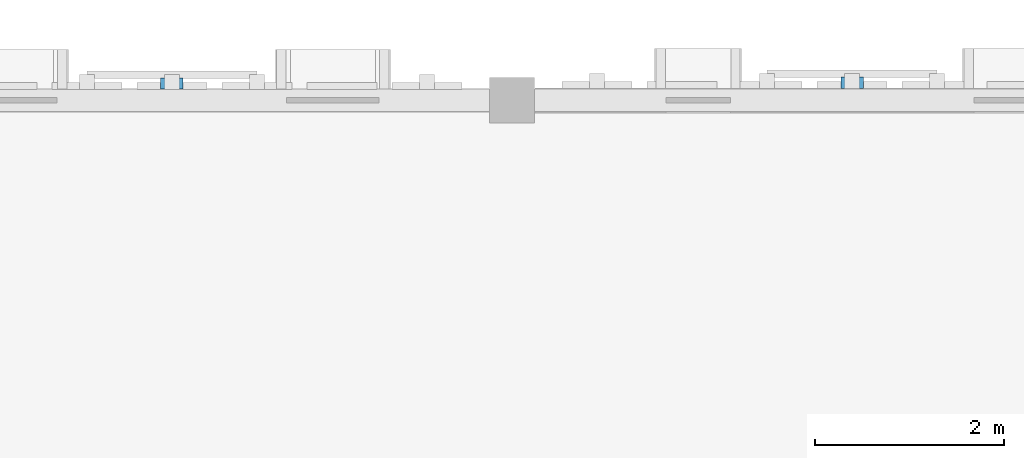
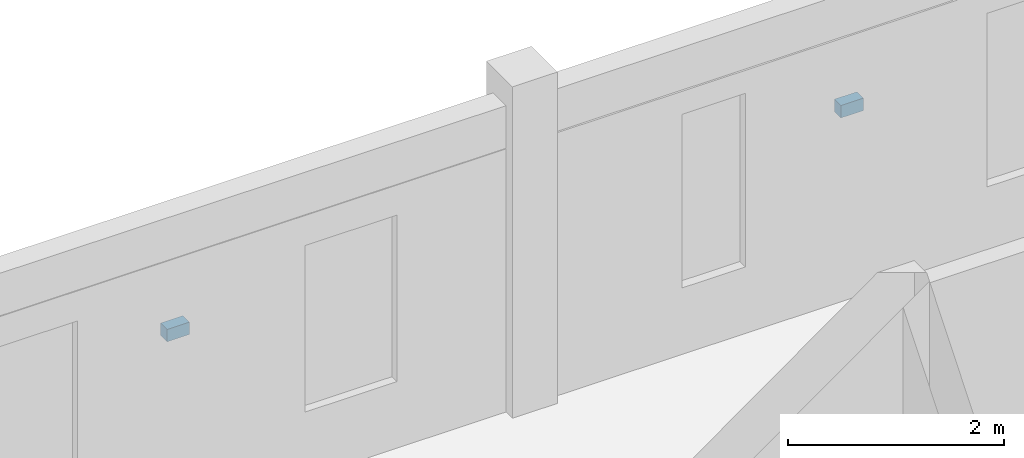
# One storey, part 38 of 53: 2 discrete accessories.
"""IFC4 building model written with IfcOpenShell, lengths in metres."""

import ifcopenshell
import ifcopenshell.guid

model = None  # the IFC model being written
_history = None  # IfcOwnerHistory: only IFC2X3 demands one
_inside = {}  # id of a spatial element -> (the spatial element, [elements in it])
_under = {}  # id of a project, library or spatial element -> (it, [spatial elements below it])
_declared = {}  # id of a project -> (the project, [libraries it declares])
_typed = {}  # id of a type object -> (the type object, [elements of that type])
_made_of = {}  # id of a material, layer set ... -> (it, [elements and type objects made of it])


def new_model(schema):
    """Start an empty IFC model of exactly this schema.

    Asked for "IFC4X3", IfcOpenShell would pick the latest addendum, in which some entities
    have other attributes; the version numbers below select the first issue.
    IFC2X3 requires an IfcOwnerHistory on every rooted entity: one is made here for all.
    """
    global model, _history
    if schema == "IFC4X3":
        model = ifcopenshell.file(schema_version=(4, 3, 0, 0))
    else:
        model = ifcopenshell.file(schema=schema)
    _inside.clear()
    _under.clear()
    _declared.clear()
    _typed.clear()
    _made_of.clear()
    _history = None
    if model.schema == "IFC2X3":
        org = make("IfcOrganization", Name="unknown")
        user = make(
            "IfcPersonAndOrganization",
            ThePerson=make("IfcPerson", FamilyName="unknown"),
            TheOrganization=org,
        )
        app = make(
            "IfcApplication",
            ApplicationDeveloper=org,
            Version="unknown",
            ApplicationFullName="unknown",
            ApplicationIdentifier="unknown",
        )
        _history = make(
            "IfcOwnerHistory",
            OwningUser=user,
            OwningApplication=app,
            ChangeAction="ADDED",
            CreationDate=0,
        )
    return model


def make(cls, **values):
    """One entity of the class cls with the attributes given. An attribute that is None is left unset."""
    return model.create_entity(
        cls, **{name: value for name, value in values.items() if value is not None}
    )


def rooted(cls, **values):
    """An entity with a GlobalId (a new one), such as an element, a storey or a relation."""
    return make(cls, GlobalId=ifcopenshell.guid.new(), OwnerHistory=_history, **values)


def si_unit(unit_type, name, prefix=None):
    """IfcSIUnit, for example si_unit("LENGTHUNIT", "METRE", prefix="MILLI")."""
    return make("IfcSIUnit", UnitType=unit_type, Prefix=prefix, Name=name)


def assignment(units):
    """IfcUnitAssignment: the units of a project."""
    return None if units is None else make("IfcUnitAssignment", Units=units)


def point(xyz):
    """IfcCartesianPoint."""
    return None if xyz is None else make("IfcCartesianPoint", Coordinates=xyz)


def direction(xyz):
    """IfcDirection."""
    return None if xyz is None else make("IfcDirection", DirectionRatios=xyz)


def frame(location, z_axis=None, x_axis=None):
    """IfcAxis2Placement3D, a coordinate frame: its origin and axes. An axis left out is left unset."""
    return make(
        "IfcAxis2Placement3D",
        Location=point(location),
        Axis=direction(z_axis),
        RefDirection=direction(x_axis),
    )


def frame_2d(location, x_axis=None):
    """IfcAxis2Placement2D, a coordinate frame in the plane: its origin and x axis."""
    return make(
        "IfcAxis2Placement2D", Location=point(location), RefDirection=direction(x_axis)
    )


def origin():
    """The frame at (0, 0, 0) with its axes left unset."""
    return frame((0.0, 0.0, 0.0))


def origin_2d():
    """The frame at (0, 0) in the plane with its x axis left unset."""
    return frame_2d((0.0, 0.0))


def place(relative_to, where):
    """IfcLocalPlacement: puts the frame where relative to a parent placement (None: the world)."""
    return make(
        "IfcLocalPlacement", PlacementRelTo=relative_to, RelativePlacement=where
    )


def context(
    kind, dimensions, precision=None, world=None, true_north=None, identifier=None
):
    """IfcGeometricRepresentationContext, for example the 3D "Model" context."""
    return make(
        "IfcGeometricRepresentationContext",
        ContextIdentifier=identifier,
        ContextType=kind,
        CoordinateSpaceDimension=dimensions,
        Precision=precision,
        WorldCoordinateSystem=world,
        TrueNorth=true_north,
    )


def subcontext(parent, identifier, kind, view, scale=None):
    """IfcGeometricRepresentationSubContext, for example "Body" below "Model"."""
    return make(
        "IfcGeometricRepresentationSubContext",
        ContextIdentifier=identifier,
        ContextType=kind,
        ParentContext=parent,
        TargetScale=scale,
        TargetView=view,
    )


def project(units=None, contexts=None):
    """IfcProject with its units and contexts."""
    return rooted(
        "IfcProject",
        Name="project",
        RepresentationContexts=contexts,
        UnitsInContext=assignment(units),
    )


def spatial(cls, under=None, at=None, **own):
    """A site, building, storey or space (cls), placed at a placement, below another one or the project."""
    s = rooted(cls, ObjectPlacement=at, **own)
    if under is not None:
        _under.setdefault(under.id(), (under, []))[1].append(s)
    return s


def profile(cls, at=None, kind="AREA", **sizes):
    """A parametric profile (cls). Its sizes go by their IFC names, for example OverallWidth=200.0."""
    return make(cls, ProfileType=kind, Position=at, **sizes)


def rectangle(**sizes):
    """IfcRectangleProfileDef."""
    return profile("IfcRectangleProfileDef", **sizes)


def extrude(swept, where, along, depth):
    """IfcExtrudedAreaSolid: the profile swept, set in the frame where, extruded along a direction by depth."""
    return make(
        "IfcExtrudedAreaSolid",
        SweptArea=swept,
        Position=where,
        ExtrudedDirection=direction(along),
        Depth=depth,
    )


def shape(context_of_items, identifier, shape_type, items):
    """IfcShapeRepresentation: the items that make up one representation, for example the "Body"."""
    return make(
        "IfcShapeRepresentation",
        ContextOfItems=context_of_items,
        RepresentationIdentifier=identifier,
        RepresentationType=shape_type,
        Items=items,
    )


def material(Name=None, Category=None):
    """IfcMaterial."""
    return make("IfcMaterial", Name=Name, Category=Category)


def made_of(thing, what):
    """Note that an element or type object is made of a material, layer set ...; save() writes the relation."""
    if what is not None:
        _made_of.setdefault(what.id(), (what, []))[1].append(thing)
    return thing


def type_object(cls, material=None, **own):
    """A type object (cls), such as IfcWallType, which elements share."""
    return made_of(rooted(cls, **own), material)


def element(
    cls,
    number,
    at=None,
    inside=None,
    cuts=None,
    type_object=None,
    material=None,
    context=None,
    identifier="Body",
    shape_type=None,
    held_by="IfcProductDefinitionShape",
    body=None,
    shapes=None,
    **own,
):
    """One element of the class cls, such as IfcWall. Its Tag is "e" and its number.

    at: its placement. inside: the storey or other place that contains it. cuts: it is an
    opening in that element (IfcRelVoidsElement). A single representation is given by context,
    identifier, shape_type and body (its items); several are given by shapes. held_by: the class
    of the entity that holds the representations. save() writes the other relations.
    """
    e = rooted(cls, Tag="e%d" % number, ObjectPlacement=at, **own)
    if body is not None:
        shapes = [shape(context, identifier, shape_type, body)]
    if shapes is not None:
        e.Representation = make(held_by, Representations=shapes)
    if inside is not None:
        _inside.setdefault(inside.id(), (inside, []))[1].append(e)
    if cuts is not None:
        rooted(
            "IfcRelVoidsElement", RelatingBuildingElement=cuts, RelatedOpeningElement=e
        )
    if type_object is not None:
        _typed.setdefault(type_object.id(), (type_object, []))[1].append(e)
    return made_of(e, material)


def aggregate(whole, parts):
    """IfcRelAggregates: a whole, such as a stair, and the parts it consists of."""
    return rooted("IfcRelAggregates", RelatingObject=whole, RelatedObjects=parts)


def save(model, path):
    """Write the relations noted so far, then the file.

    IfcRelAggregates (storeys below a building ...), IfcRelContainedInSpatialStructure (elements
    in a storey), IfcRelDefinesByType, IfcRelAssociatesMaterial and IfcRelDeclares: one each for
    every whole, place, type object, material and project.
    """
    for whole, parts in _under.values():
        aggregate(whole, parts)
    for where, things in _inside.values():
        rooted(
            "IfcRelContainedInSpatialStructure",
            RelatedElements=things,
            RelatingStructure=where,
        )
    for kind, things in _typed.values():
        rooted("IfcRelDefinesByType", RelatedObjects=things, RelatingType=kind)
    for what, things in _made_of.values():
        rooted("IfcRelAssociatesMaterial", RelatedObjects=things, RelatingMaterial=what)
    for by, libraries in _declared.values():
        rooted("IfcRelDeclares", RelatingContext=by, RelatedDefinitions=libraries)
    model.write(path)


model = new_model("IFC4")

# Units and contexts
model_context = context("Model", 3, precision=1e-05, world=origin(), true_north=direction((0.0, 1.0)))
body_context = subcontext(model_context, "Body", "Model", "MODEL_VIEW")
ifc_project = project(units=[si_unit("LENGTHUNIT", "METRE"), si_unit("AREAUNIT", "SQUARE_METRE"), si_unit("VOLUMEUNIT", "CUBIC_METRE"), si_unit("PLANEANGLEUNIT", "RADIAN"), si_unit("MASSUNIT", "GRAM", prefix="KILO")], contexts=[model_context])

# Site, building, storey
site_placement = place(None, origin())
site = spatial("IfcSite", under=ifc_project, at=site_placement, CompositionType="ELEMENT")
building_placement = place(site_placement, origin())
building = spatial("IfcBuilding", under=site, at=building_placement, Name="Nzembalo Square Collegiate School", CompositionType="ELEMENT")
storey_placement = place(building_placement, frame((0.0, 0.0, 13.60009765625)))
storey = spatial("IfcBuildingStorey", under=building, at=storey_placement, Name="L03", CompositionType="ELEMENT", Elevation=13.60009765625)

# Discrete accessories
ifc_material = material(Name="Steel S355", Category="steel")
discrete_accessory_type = type_object("IfcDiscreteAccessoryType", Name="BK01", PredefinedType="BRACKET", material=ifc_material)
for number, where, z_axis, x_axis, name in (
    (1, (80.39990234375, 114.177490234375, 1.8642578125), (0.0, 0.0, 1.0), (1.0, 0.0, 0.0), "Screen bracket BK01-025"),
    (2, (87.60009765625, 114.1875, 1.8642578125), (0.0, 0.0, 1.0), (1.0, 0.0, 0.0), "Screen bracket BK01-026"),
):
    element("IfcDiscreteAccessory", number, at=place(storey_placement, frame(where, z_axis=z_axis, x_axis=x_axis)), inside=storey, type_object=discrete_accessory_type, Name=name, PredefinedType="BRACKET", context=body_context, shape_type="SweptSolid", body=[
        extrude(rectangle(XDim=0.239990234375, YDim=0.1201171875, at=origin_2d()), origin(), (0.0, 0.0, 1.0), 0.139892578125),
    ])

save(model, "model.ifc")
